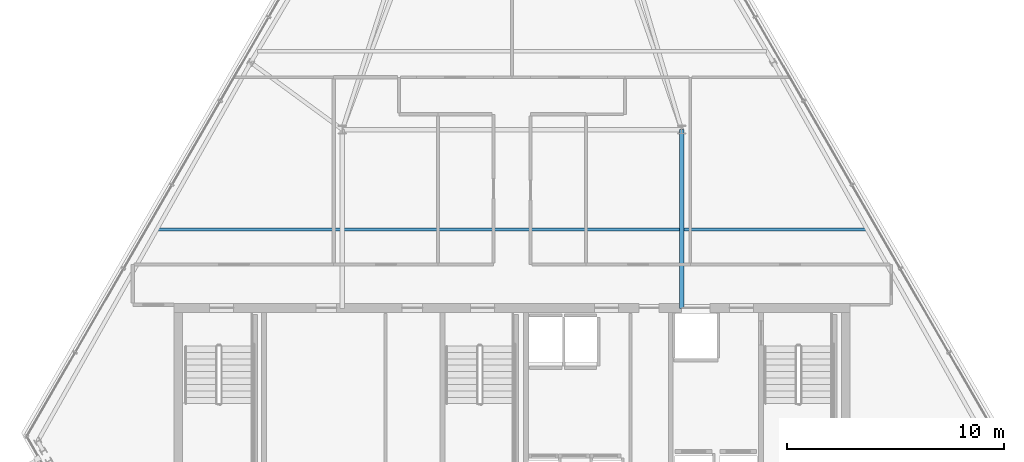
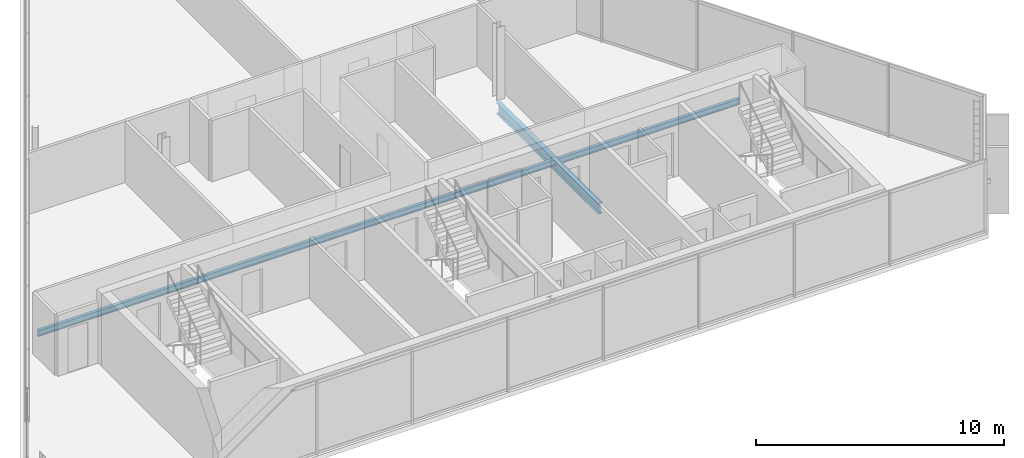
# One storey, part 10 of 32: 2 beams.
"""IFC4 building model written with IfcOpenShell, lengths in metres."""

from ifc_helpers import new_model, si_unit, direction, frame, origin, origin_2d, place, context, subcontext, project, spatial, i_section, extrude, material, material_profile, profile_set, type_object, element, save


model = new_model("IFC4")

# Units and contexts
model_context = context("Model", 3, precision=1e-05, world=origin(), true_north=direction((0.0, 1.0)))
body_context = subcontext(model_context, "Body", "Model", "MODEL_VIEW")
ifc_project = project(units=[si_unit("LENGTHUNIT", "METRE"), si_unit("AREAUNIT", "SQUARE_METRE"), si_unit("VOLUMEUNIT", "CUBIC_METRE"), si_unit("PLANEANGLEUNIT", "RADIAN"), si_unit("MASSUNIT", "GRAM", prefix="KILO")], contexts=[model_context])

# Site, building, storey
site_placement = place(None, origin())
site = spatial("IfcSite", under=ifc_project, at=site_placement, CompositionType="ELEMENT")
building_placement = place(site_placement, origin())
building = spatial("IfcBuilding", under=site, at=building_placement, Name="Ndaravel Arena Tower", CompositionType="ELEMENT")
storey_placement = place(building_placement, frame((0.0, 0.0, 283.300048828125)))
storey = spatial("IfcBuildingStorey", under=building, at=storey_placement, Name="L69", CompositionType="ELEMENT", Elevation=283.300048828125)

# Beams
ifc_material_1 = material(Name="Steel S355", Category="steel")
ifc_material_profile_1 = material_profile(ifc_material_1, i_section(OverallWidth=0.210693359375, OverallDepth=0.53955078125, WebThickness=0.01171875, FlangeThickness=0.018798828125, FilletRadius=0.0126953125, at=origin_2d()), Name="UB 533x210x109")
ifc_profile_set_1 = profile_set([ifc_material_profile_1], Name="Steel S355")
beam_type_1 = type_object("IfcBeamType", Name="BM-GIRD-UB533", PredefinedType="BEAM", material=ifc_profile_set_1)
beam_1_placement = place(storey_placement, frame((49.800048828125, 14.97998046875, -0.48974609375), z_axis=(0.0, 1.0, 0.0), x_axis=(-1.0, 0.0, 0.0)))
element("IfcBeam", 1, at=beam_1_placement, inside=storey, type_object=beam_type_1, Name="L69 Spine Link Girder SLG-02", PredefinedType="BEAM", context=body_context, shape_type="SweptSolid", body=[
    extrude(i_section(OverallWidth=0.210693359375, OverallDepth=0.53955078125, WebThickness=0.01171875, FlangeThickness=0.018798828125, FilletRadius=0.0126953125, at=origin_2d()), origin(), (0.0, 0.0, 1.0), 8.219970703125),
])
ifc_material_2 = material(Name="Steel S355", Category="steel")
ifc_material_profile_2 = material_profile(ifc_material_2, i_section(OverallWidth=0.14990234375, OverallDepth=0.300048828125, WebThickness=0.007080078125, FlangeThickness=0.0107421875, FilletRadius=0.014892578125, at=origin_2d()), Name="IPE 300")
ifc_profile_set_2 = profile_set([ifc_material_profile_2], Name="Steel S355")
beam_type_2 = type_object("IfcBeamType", Name="BM-JOIST-IPE300", PredefinedType="JOIST", material=ifc_profile_set_2)
beam_2_placement = place(storey_placement, frame((25.664306640625, 18.60009765625, -0.3701171875), z_axis=(1.0, 0.0, 0.0), x_axis=(0.0, 1.0, 0.0)))
element("IfcBeam", 2, at=beam_2_placement, inside=storey, type_object=beam_type_2, Name="L69 Composite Floor Joist FJ-01", PredefinedType="JOIST", context=body_context, shape_type="SweptSolid", body=[
    extrude(i_section(OverallWidth=0.14990234375, OverallDepth=0.300048828125, WebThickness=0.007080078125, FlangeThickness=0.0107421875, FilletRadius=0.014892578125, at=origin_2d()), origin(), (0.0, 0.0, 1.0), 32.67138671875),
])

save(model, "model.ifc")
